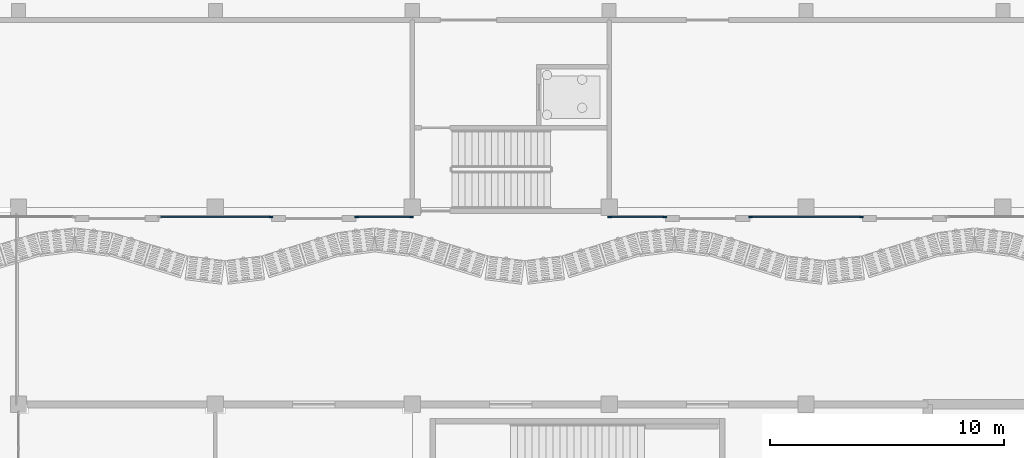
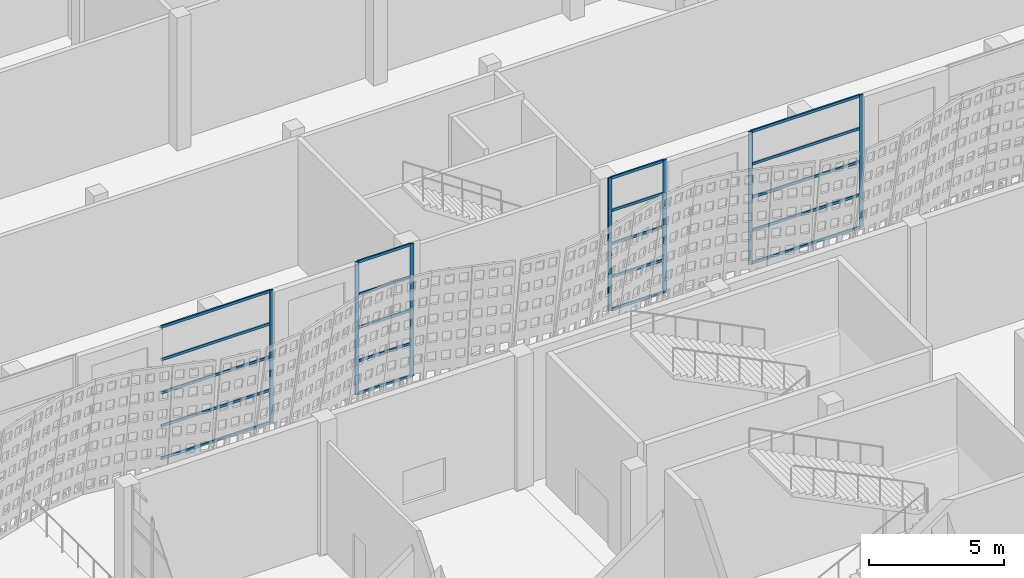
# One storey, part 50 of 210: 27 members, 4 elements without a shape of their own.
"""IFC4 building model written with IfcOpenShell, lengths in metres."""

from ifc_helpers import new_model, si_unit, direction, frame, origin, origin_2d, place, context, subcontext, project, spatial, rectangle, extrude, material, layer, layer_set, material_profile, profile_set, type_object, element, aggregate, save


model = new_model("IFC4")

# Units and contexts
model_context = context("Model", 3, precision=1e-05, world=origin(), true_north=direction((0.0, 1.0)))
body_context = subcontext(model_context, "Body", "Model", "MODEL_VIEW")
ifc_project = project(units=[si_unit("LENGTHUNIT", "METRE"), si_unit("AREAUNIT", "SQUARE_METRE"), si_unit("VOLUMEUNIT", "CUBIC_METRE"), si_unit("PLANEANGLEUNIT", "RADIAN"), si_unit("MASSUNIT", "GRAM", prefix="KILO")], contexts=[model_context])

# Site, building, storey
site_placement = place(None, origin())
site = spatial("IfcSite", under=ifc_project, at=site_placement, CompositionType="ELEMENT")
building_placement = place(site_placement, origin())
building = spatial("IfcBuilding", under=site, at=building_placement, Name="Rain Tree Exposition and Congress Centre", CompositionType="ELEMENT")
storey_placement = place(building_placement, origin())
storey = spatial("IfcBuildingStorey", under=building, at=storey_placement, Name="L00", CompositionType="ELEMENT", Elevation=0.0)

# Curtain wall, member
ifc_material_1 = material(Name="Aluminium curtain wall system", Category="aluminium")
ifc_layer = layer(ifc_material_1, 0.10009765625)
ifc_layer_set = layer_set([ifc_layer], Name="Aluminium curtain wall system")
curtain_wall_type = type_object("IfcCurtainWallType", Name="Concourse curtain wall 4200 module", PredefinedType="NOTDEFINED", material=ifc_layer_set)
curtain_wall_1_placement = place(storey_placement, origin())
curtain_wall_1 = element("IfcCurtainWall", 1, at=curtain_wall_1_placement, inside=storey, type_object=curtain_wall_type, Name="Concourse curtain wall CWC14", PredefinedType="NOTDEFINED")
ifc_material_2 = material(Name="Aluminium mullion", Category="aluminium")
ifc_material_profile_1 = material_profile(ifc_material_2, rectangle(XDim=0.06005859375, YDim=0.159912109375, at=origin_2d()), Name="AL 60x160")
ifc_profile_set_1 = profile_set([ifc_material_profile_1], Name="Aluminium mullion")
member_type_1 = type_object("IfcMemberType", Name="Concourse curtain wall mullion 60x160", PredefinedType="MULLION", material=ifc_profile_set_1)
member_1_placement = place(storey_placement, frame((161.969970703125, 75.199951171875, 0.0), z_axis=(0.0, 0.0, 1.0), x_axis=(0.0, 1.0, 0.0)))
member_1 = element("IfcMember", 2, at=member_1_placement, type_object=member_type_1, Name="CWC14 mullion 2", PredefinedType="MULLION", context=body_context, shape_type="SweptSolid", body=[
    extrude(rectangle(XDim=0.06005859375, YDim=0.159912109375, at=origin_2d()), origin(), (0.0, 0.0, 1.0), 6.0),
])

# Curtain wall, members
curtain_wall_2_placement = place(storey_placement, origin())
curtain_wall_2 = element("IfcCurtainWall", 3, at=curtain_wall_2_placement, inside=storey, type_object=curtain_wall_type, Name="Concourse curtain wall CWC15", PredefinedType="NOTDEFINED")
member_2_placement = place(storey_placement, frame((165.6298828125, 75.199951171875, 0.0), z_axis=(0.0, 0.0, 1.0), x_axis=(0.0, 1.0, 0.0)))
member_2 = element("IfcMember", 4, at=member_2_placement, type_object=member_type_1, Name="CWC15 mullion 1", PredefinedType="MULLION", context=body_context, shape_type="SweptSolid", body=[
    extrude(rectangle(XDim=0.06005859375, YDim=0.159912109375, at=origin_2d()), origin(), (0.0, 0.0, 1.0), 6.0),
])
member_3_placement = place(storey_placement, frame((167.969970703125, 75.199951171875, 0.0), z_axis=(0.0, 0.0, 1.0), x_axis=(0.0, 1.0, 0.0)))
member_3 = element("IfcMember", 5, at=member_3_placement, type_object=member_type_1, Name="CWC15 mullion 2", PredefinedType="MULLION", context=body_context, shape_type="SweptSolid", body=[
    extrude(rectangle(XDim=0.06005859375, YDim=0.159912109375, at=origin_2d()), origin(), (0.0, 0.0, 1.0), 6.0),
])

curtain_wall_3_placement = place(storey_placement, origin())
curtain_wall_3 = element("IfcCurtainWall", 6, at=curtain_wall_3_placement, inside=storey, type_object=curtain_wall_type, Name="Concourse curtain wall CWC16", PredefinedType="NOTDEFINED")
member_4_placement = place(storey_placement, frame((176.429931640625, 75.199951171875, 0.0), z_axis=(0.0, 0.0, 1.0), x_axis=(0.0, 1.0, 0.0)))
member_4 = element("IfcMember", 7, at=member_4_placement, type_object=member_type_1, Name="CWC16 mullion 1", PredefinedType="MULLION", context=body_context, shape_type="SweptSolid", body=[
    extrude(rectangle(XDim=0.06005859375, YDim=0.159912109375, at=origin_2d()), origin(), (0.0, 0.0, 1.0), 6.0),
])
member_5_placement = place(storey_placement, frame((178.77001953125, 75.199951171875, 0.0), z_axis=(0.0, 0.0, 1.0), x_axis=(0.0, 1.0, 0.0)))
member_5 = element("IfcMember", 8, at=member_5_placement, type_object=member_type_1, Name="CWC16 mullion 2", PredefinedType="MULLION", context=body_context, shape_type="SweptSolid", body=[
    extrude(rectangle(XDim=0.06005859375, YDim=0.159912109375, at=origin_2d()), origin(), (0.0, 0.0, 1.0), 6.0),
])

curtain_wall_4_placement = place(storey_placement, origin())
curtain_wall_4 = element("IfcCurtainWall", 9, at=curtain_wall_4_placement, inside=storey, type_object=curtain_wall_type, Name="Concourse curtain wall CWC17", PredefinedType="NOTDEFINED")
member_6_placement = place(storey_placement, frame((182.429931640625, 75.199951171875, 0.0), z_axis=(0.0, 0.0, 1.0), x_axis=(0.0, 1.0, 0.0)))
member_6 = element("IfcMember", 10, at=member_6_placement, type_object=member_type_1, Name="CWC17 mullion 1", PredefinedType="MULLION", context=body_context, shape_type="SweptSolid", body=[
    extrude(rectangle(XDim=0.06005859375, YDim=0.159912109375, at=origin_2d()), origin(), (0.0, 0.0, 1.0), 6.0),
])
member_7_placement = place(storey_placement, frame((187.169921875, 75.199951171875, 0.0), z_axis=(0.0, 0.0, 1.0), x_axis=(0.0, 1.0, 0.0)))
member_7 = element("IfcMember", 11, at=member_7_placement, type_object=member_type_1, Name="CWC17 mullion 2", PredefinedType="MULLION", context=body_context, shape_type="SweptSolid", body=[
    extrude(rectangle(XDim=0.06005859375, YDim=0.159912109375, at=origin_2d()), origin(), (0.0, 0.0, 1.0), 6.0),
])

# Member
ifc_material_3 = material(Name="Aluminium transom", Category="aluminium")
ifc_material_profile_2 = material_profile(ifc_material_3, rectangle(XDim=0.06005859375, YDim=0.1201171875, at=origin_2d()), Name="AL 60x120")
ifc_profile_set_2 = profile_set([ifc_material_profile_2], Name="Aluminium transom")
member_type_2 = type_object("IfcMemberType", Name="Concourse curtain wall transom 60x120", PredefinedType="USERDEFINED", material=ifc_profile_set_2)
member_8_placement = place(storey_placement, frame((157.260009765625, 75.199951171875, 0.030029296875), z_axis=(1.0, 0.0, 0.0), x_axis=(0.0, 1.0, 0.0)))
member_8 = element("IfcMember", 12, at=member_8_placement, type_object=member_type_2, Name="CWC14 transom 1.1", ObjectType="TRANSOM", PredefinedType="USERDEFINED", context=body_context, shape_type="SweptSolid", body=[
    extrude(rectangle(XDim=0.06005859375, YDim=0.1201171875, at=origin_2d()), origin(), (0.0, 0.0, 1.0), 4.679931640625),
])

member_9_placement = place(storey_placement, frame((157.260009765625, 75.199951171875, 1.5), z_axis=(1.0, 0.0, 0.0), x_axis=(0.0, 1.0, 0.0)))
member_9 = element("IfcMember", 13, at=member_9_placement, type_object=member_type_2, Name="CWC14 transom 1.2", ObjectType="TRANSOM", PredefinedType="USERDEFINED", context=body_context, shape_type="SweptSolid", body=[
    extrude(rectangle(XDim=0.06005859375, YDim=0.1201171875, at=origin_2d()), origin(), (0.0, 0.0, 1.0), 4.679931640625),
])

member_10_placement = place(storey_placement, frame((157.260009765625, 75.199951171875, 3.0), z_axis=(1.0, 0.0, 0.0), x_axis=(0.0, 1.0, 0.0)))
member_10 = element("IfcMember", 14, at=member_10_placement, type_object=member_type_2, Name="CWC14 transom 1.3", ObjectType="TRANSOM", PredefinedType="USERDEFINED", context=body_context, shape_type="SweptSolid", body=[
    extrude(rectangle(XDim=0.06005859375, YDim=0.1201171875, at=origin_2d()), origin(), (0.0, 0.0, 1.0), 4.679931640625),
])

member_11_placement = place(storey_placement, frame((157.260009765625, 75.199951171875, 4.5), z_axis=(1.0, 0.0, 0.0), x_axis=(0.0, 1.0, 0.0)))
member_11 = element("IfcMember", 15, at=member_11_placement, type_object=member_type_2, Name="CWC14 transom 1.4", ObjectType="TRANSOM", PredefinedType="USERDEFINED", context=body_context, shape_type="SweptSolid", body=[
    extrude(rectangle(XDim=0.06005859375, YDim=0.1201171875, at=origin_2d()), origin(), (0.0, 0.0, 1.0), 4.679931640625),
])

member_12_placement = place(storey_placement, frame((157.260009765625, 75.199951171875, 5.969970703125), z_axis=(1.0, 0.0, 0.0), x_axis=(0.0, 1.0, 0.0)))
member_12 = element("IfcMember", 16, at=member_12_placement, type_object=member_type_2, Name="CWC14 transom 1.5", ObjectType="TRANSOM", PredefinedType="USERDEFINED", context=body_context, shape_type="SweptSolid", body=[
    extrude(rectangle(XDim=0.06005859375, YDim=0.1201171875, at=origin_2d()), origin(), (0.0, 0.0, 1.0), 4.679931640625),
])

aggregate(curtain_wall_1, [member_1, member_8, member_9, member_10, member_11, member_12])

member_13_placement = place(storey_placement, frame((165.659912109375, 75.199951171875, 0.030029296875), z_axis=(1.0, 0.0, 0.0), x_axis=(0.0, 1.0, 0.0)))
member_13 = element("IfcMember", 17, at=member_13_placement, type_object=member_type_2, Name="CWC15 transom 1.1", ObjectType="TRANSOM", PredefinedType="USERDEFINED", context=body_context, shape_type="SweptSolid", body=[
    extrude(rectangle(XDim=0.06005859375, YDim=0.1201171875, at=origin_2d()), origin(), (0.0, 0.0, 1.0), 2.280029296875),
])

member_14_placement = place(storey_placement, frame((165.659912109375, 75.199951171875, 1.5), z_axis=(1.0, 0.0, 0.0), x_axis=(0.0, 1.0, 0.0)))
member_14 = element("IfcMember", 18, at=member_14_placement, type_object=member_type_2, Name="CWC15 transom 1.2", ObjectType="TRANSOM", PredefinedType="USERDEFINED", context=body_context, shape_type="SweptSolid", body=[
    extrude(rectangle(XDim=0.06005859375, YDim=0.1201171875, at=origin_2d()), origin(), (0.0, 0.0, 1.0), 2.280029296875),
])

member_15_placement = place(storey_placement, frame((165.659912109375, 75.199951171875, 3.0), z_axis=(1.0, 0.0, 0.0), x_axis=(0.0, 1.0, 0.0)))
member_15 = element("IfcMember", 19, at=member_15_placement, type_object=member_type_2, Name="CWC15 transom 1.3", ObjectType="TRANSOM", PredefinedType="USERDEFINED", context=body_context, shape_type="SweptSolid", body=[
    extrude(rectangle(XDim=0.06005859375, YDim=0.1201171875, at=origin_2d()), origin(), (0.0, 0.0, 1.0), 2.280029296875),
])

member_16_placement = place(storey_placement, frame((165.659912109375, 75.199951171875, 4.5), z_axis=(1.0, 0.0, 0.0), x_axis=(0.0, 1.0, 0.0)))
member_16 = element("IfcMember", 20, at=member_16_placement, type_object=member_type_2, Name="CWC15 transom 1.4", ObjectType="TRANSOM", PredefinedType="USERDEFINED", context=body_context, shape_type="SweptSolid", body=[
    extrude(rectangle(XDim=0.06005859375, YDim=0.1201171875, at=origin_2d()), origin(), (0.0, 0.0, 1.0), 2.280029296875),
])

member_17_placement = place(storey_placement, frame((165.659912109375, 75.199951171875, 5.969970703125), z_axis=(1.0, 0.0, 0.0), x_axis=(0.0, 1.0, 0.0)))
member_17 = element("IfcMember", 21, at=member_17_placement, type_object=member_type_2, Name="CWC15 transom 1.5", ObjectType="TRANSOM", PredefinedType="USERDEFINED", context=body_context, shape_type="SweptSolid", body=[
    extrude(rectangle(XDim=0.06005859375, YDim=0.1201171875, at=origin_2d()), origin(), (0.0, 0.0, 1.0), 2.280029296875),
])

aggregate(curtain_wall_2, [member_2, member_3, member_13, member_14, member_15, member_16, member_17])

member_18_placement = place(storey_placement, frame((176.4599609375, 75.199951171875, 0.030029296875), z_axis=(1.0, 0.0, 0.0), x_axis=(0.0, 1.0, 0.0)))
member_18 = element("IfcMember", 22, at=member_18_placement, type_object=member_type_2, Name="CWC16 transom 1.1", ObjectType="TRANSOM", PredefinedType="USERDEFINED", context=body_context, shape_type="SweptSolid", body=[
    extrude(rectangle(XDim=0.06005859375, YDim=0.1201171875, at=origin_2d()), origin(), (0.0, 0.0, 1.0), 2.280029296875),
])

member_19_placement = place(storey_placement, frame((176.4599609375, 75.199951171875, 1.5), z_axis=(1.0, 0.0, 0.0), x_axis=(0.0, 1.0, 0.0)))
member_19 = element("IfcMember", 23, at=member_19_placement, type_object=member_type_2, Name="CWC16 transom 1.2", ObjectType="TRANSOM", PredefinedType="USERDEFINED", context=body_context, shape_type="SweptSolid", body=[
    extrude(rectangle(XDim=0.06005859375, YDim=0.1201171875, at=origin_2d()), origin(), (0.0, 0.0, 1.0), 2.280029296875),
])

member_20_placement = place(storey_placement, frame((176.4599609375, 75.199951171875, 3.0), z_axis=(1.0, 0.0, 0.0), x_axis=(0.0, 1.0, 0.0)))
member_20 = element("IfcMember", 24, at=member_20_placement, type_object=member_type_2, Name="CWC16 transom 1.3", ObjectType="TRANSOM", PredefinedType="USERDEFINED", context=body_context, shape_type="SweptSolid", body=[
    extrude(rectangle(XDim=0.06005859375, YDim=0.1201171875, at=origin_2d()), origin(), (0.0, 0.0, 1.0), 2.280029296875),
])

member_21_placement = place(storey_placement, frame((176.4599609375, 75.199951171875, 4.5), z_axis=(1.0, 0.0, 0.0), x_axis=(0.0, 1.0, 0.0)))
member_21 = element("IfcMember", 25, at=member_21_placement, type_object=member_type_2, Name="CWC16 transom 1.4", ObjectType="TRANSOM", PredefinedType="USERDEFINED", context=body_context, shape_type="SweptSolid", body=[
    extrude(rectangle(XDim=0.06005859375, YDim=0.1201171875, at=origin_2d()), origin(), (0.0, 0.0, 1.0), 2.280029296875),
])

member_22_placement = place(storey_placement, frame((176.4599609375, 75.199951171875, 5.969970703125), z_axis=(1.0, 0.0, 0.0), x_axis=(0.0, 1.0, 0.0)))
member_22 = element("IfcMember", 26, at=member_22_placement, type_object=member_type_2, Name="CWC16 transom 1.5", ObjectType="TRANSOM", PredefinedType="USERDEFINED", context=body_context, shape_type="SweptSolid", body=[
    extrude(rectangle(XDim=0.06005859375, YDim=0.1201171875, at=origin_2d()), origin(), (0.0, 0.0, 1.0), 2.280029296875),
])

aggregate(curtain_wall_3, [member_4, member_5, member_18, member_19, member_20, member_21, member_22])

member_23_placement = place(storey_placement, frame((182.4599609375, 75.199951171875, 0.030029296875), z_axis=(1.0, 0.0, 0.0), x_axis=(0.0, 1.0, 0.0)))
member_23 = element("IfcMember", 27, at=member_23_placement, type_object=member_type_2, Name="CWC17 transom 1.1", ObjectType="TRANSOM", PredefinedType="USERDEFINED", context=body_context, shape_type="SweptSolid", body=[
    extrude(rectangle(XDim=0.06005859375, YDim=0.1201171875, at=origin_2d()), origin(), (0.0, 0.0, 1.0), 4.679931640625),
])

member_24_placement = place(storey_placement, frame((182.4599609375, 75.199951171875, 1.5), z_axis=(1.0, 0.0, 0.0), x_axis=(0.0, 1.0, 0.0)))
member_24 = element("IfcMember", 28, at=member_24_placement, type_object=member_type_2, Name="CWC17 transom 1.2", ObjectType="TRANSOM", PredefinedType="USERDEFINED", context=body_context, shape_type="SweptSolid", body=[
    extrude(rectangle(XDim=0.06005859375, YDim=0.1201171875, at=origin_2d()), origin(), (0.0, 0.0, 1.0), 4.679931640625),
])

member_25_placement = place(storey_placement, frame((182.4599609375, 75.199951171875, 3.0), z_axis=(1.0, 0.0, 0.0), x_axis=(0.0, 1.0, 0.0)))
member_25 = element("IfcMember", 29, at=member_25_placement, type_object=member_type_2, Name="CWC17 transom 1.3", ObjectType="TRANSOM", PredefinedType="USERDEFINED", context=body_context, shape_type="SweptSolid", body=[
    extrude(rectangle(XDim=0.06005859375, YDim=0.1201171875, at=origin_2d()), origin(), (0.0, 0.0, 1.0), 4.679931640625),
])

member_26_placement = place(storey_placement, frame((182.4599609375, 75.199951171875, 4.5), z_axis=(1.0, 0.0, 0.0), x_axis=(0.0, 1.0, 0.0)))
member_26 = element("IfcMember", 30, at=member_26_placement, type_object=member_type_2, Name="CWC17 transom 1.4", ObjectType="TRANSOM", PredefinedType="USERDEFINED", context=body_context, shape_type="SweptSolid", body=[
    extrude(rectangle(XDim=0.06005859375, YDim=0.1201171875, at=origin_2d()), origin(), (0.0, 0.0, 1.0), 4.679931640625),
])

member_27_placement = place(storey_placement, frame((182.4599609375, 75.199951171875, 5.969970703125), z_axis=(1.0, 0.0, 0.0), x_axis=(0.0, 1.0, 0.0)))
member_27 = element("IfcMember", 31, at=member_27_placement, type_object=member_type_2, Name="CWC17 transom 1.5", ObjectType="TRANSOM", PredefinedType="USERDEFINED", context=body_context, shape_type="SweptSolid", body=[
    extrude(rectangle(XDim=0.06005859375, YDim=0.1201171875, at=origin_2d()), origin(), (0.0, 0.0, 1.0), 4.679931640625),
])

aggregate(curtain_wall_4, [member_6, member_7, member_23, member_24, member_25, member_26, member_27])

save(model, "model.ifc")
